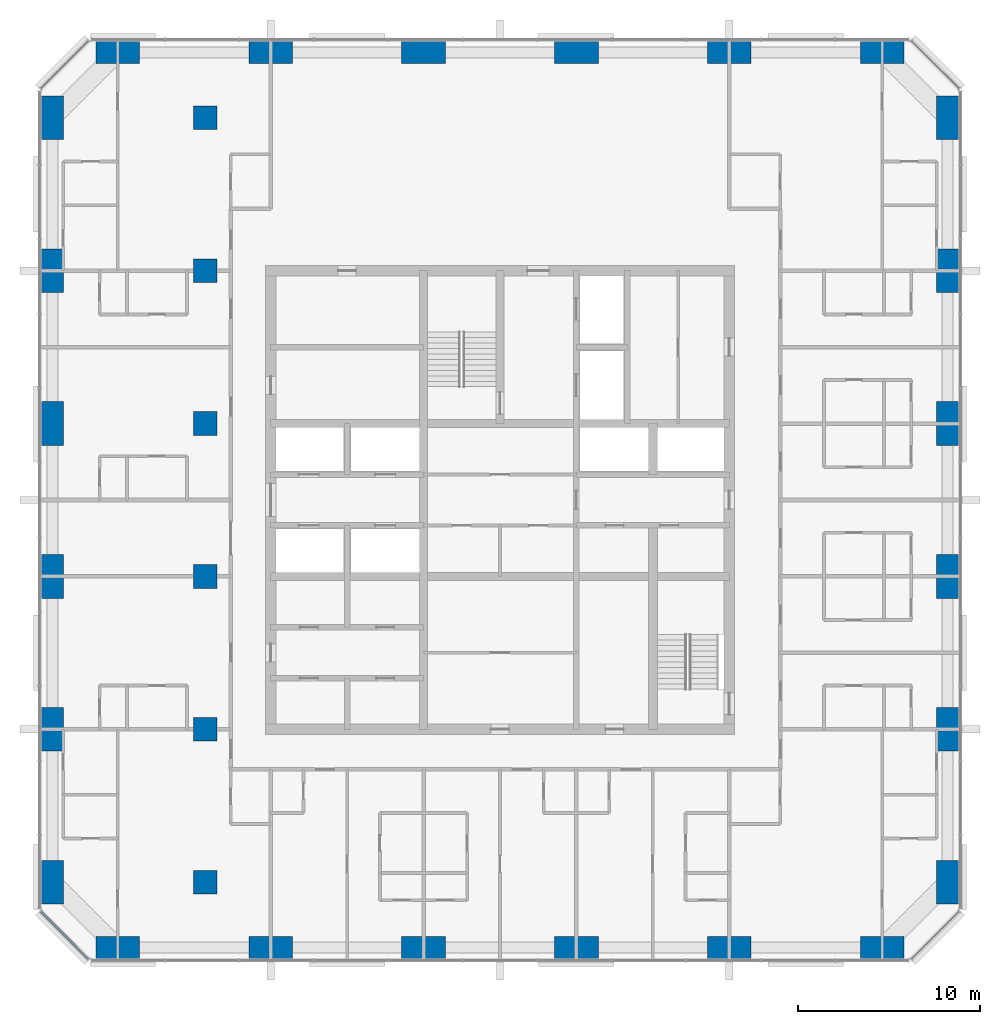
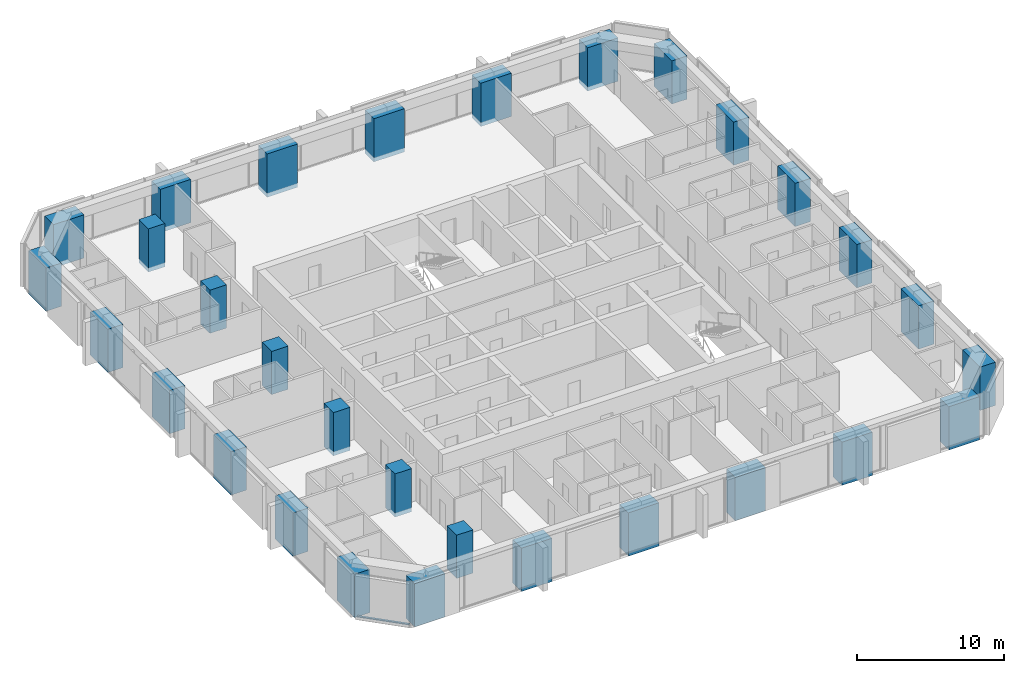
# One storey, part 1 of 14: 30 columns, 1 member, 1 element without a shape of its own.
"""IFC4 building model written with IfcOpenShell, lengths in metres."""

from ifc_helpers import new_model, si_unit, direction, frame, origin, origin_2d, place, context, subcontext, project, spatial, rectangle, extrude, material, material_profile, profile_set, type_object, element, aggregate, save


model = new_model("IFC4")

# Units and contexts
model_context = context("Model", 3, precision=1e-05, world=origin(), true_north=direction((0.0, 1.0)))
body_context = subcontext(model_context, "Body", "Model", "MODEL_VIEW")
ifc_project = project(units=[si_unit("LENGTHUNIT", "METRE"), si_unit("AREAUNIT", "SQUARE_METRE"), si_unit("VOLUMEUNIT", "CUBIC_METRE"), si_unit("PLANEANGLEUNIT", "RADIAN"), si_unit("MASSUNIT", "GRAM", prefix="KILO")], contexts=[model_context])

# Site, building, storey
site_placement = place(None, origin())
site = spatial("IfcSite", under=ifc_project, at=site_placement, CompositionType="ELEMENT")
building_placement = place(site_placement, origin())
building = spatial("IfcBuilding", under=site, at=building_placement, Name="Dunama Terrace Hotel", CompositionType="ELEMENT")
storey_placement = place(building_placement, frame((0.0, 0.0, 180.60009765625)))
storey = spatial("IfcBuildingStorey", under=building, at=storey_placement, Name="L46", CompositionType="ELEMENT", Elevation=180.60009765625)

# Columns
ifc_material_1 = material(Name="Concrete C60/75", Category="concrete")
ifc_material_profile_1 = material_profile(ifc_material_1, rectangle(XDim=1.199951171875, YDim=2.39990234375, at=origin_2d()), Name="RC 1200x2400")
ifc_profile_set_1 = profile_set([ifc_material_profile_1], Name="Concrete C60/75")
column_type_1 = type_object("IfcColumnType", Name="Column RC 1200x2400", PredefinedType="COLUMN", material=ifc_profile_set_1)
for number, where, z_axis, x_axis, name in (
    (1, (4.800048828125, 8.39990234375, -0.35009765625), (0.0, 0.0, 1.0), (1.0, 0.0, 0.0), "Column L46 +4.8/+8.4"),
    (2, (4.800048828125, 16.800048828125, -0.35009765625), (0.0, 0.0, 1.0), (1.0, 0.0, 0.0), "Column L46 +4.8/+16.8"),
    (3, (4.800048828125, 25.199951171875, -0.35009765625), (0.0, 0.0, 1.0), (1.0, 0.0, 0.0), "Column L46 +4.8/+25.2"),
    (4, (4.800048828125, 33.60009765625, -0.35009765625), (0.0, 0.0, 1.0), (1.0, 0.0, 0.0), "Column L46 +4.8/+33.6"),
    (5, (4.800048828125, 42.0, -0.35009765625), (0.0, 0.0, 1.0), (1.0, 0.0, 0.0), "Column L46 +4.8/+42.0"),
    (6, (4.800048828125, 50.39990234375, -0.35009765625), (0.0, 0.0, 1.0), (1.0, 0.0, 0.0), "Column L46 +4.8/+50.4"),
    (7, (54.0, 8.39990234375, -0.35009765625), (0.0, 0.0, 1.0), (1.0, 0.0, 0.0), "Column L46 +54.0/+8.4"),
    (8, (54.0, 16.800048828125, -0.35009765625), (0.0, 0.0, 1.0), (1.0, 0.0, 0.0), "Column L46 +54.0/+16.8"),
    (9, (54.0, 25.199951171875, -0.35009765625), (0.0, 0.0, 1.0), (1.0, 0.0, 0.0), "Column L46 +54.0/+25.2"),
    (10, (54.0, 33.60009765625, -0.35009765625), (0.0, 0.0, 1.0), (1.0, 0.0, 0.0), "Column L46 +54.0/+33.6"),
    (11, (54.0, 42.0, -0.35009765625), (0.0, 0.0, 1.0), (1.0, 0.0, 0.0), "Column L46 +54.0/+42.0"),
    (12, (54.0, 50.39990234375, -0.35009765625), (0.0, 0.0, 1.0), (1.0, 0.0, 0.0), "Column L46 +54.0/+50.4"),
):
    element("IfcColumn", number, at=place(storey_placement, frame(where, z_axis=z_axis, x_axis=x_axis)), inside=storey, type_object=column_type_1, Name=name, PredefinedType="COLUMN", context=body_context, shape_type="SweptSolid", body=[
        extrude(rectangle(XDim=1.199951171875, YDim=2.39990234375, at=origin_2d()), origin(), (0.0, 0.0, 1.0), 3.60009765625),
    ])
ifc_material_2 = material(Name="Concrete C60/75", Category="concrete")
ifc_material_profile_2 = material_profile(ifc_material_2, rectangle(XDim=1.300048828125, YDim=1.300048828125, at=origin_2d()), Name="RC 1300x1300")
ifc_profile_set_2 = profile_set([ifc_material_profile_2], Name="Concrete C60/75")
column_type_2 = type_object("IfcColumnType", Name="Column RC 1300x1300", PredefinedType="COLUMN", material=ifc_profile_set_2)
for number, where, z_axis, x_axis, name in (
    (13, (13.199951171875, 8.39990234375, -0.35009765625), (0.0, 0.0, 1.0), (1.0, 0.0, 0.0), "Column L46 +13.2/+8.4"),
    (14, (13.199951171875, 16.800048828125, -0.35009765625), (0.0, 0.0, 1.0), (1.0, 0.0, 0.0), "Column L46 +13.2/+16.8"),
    (15, (13.199951171875, 25.199951171875, -0.35009765625), (0.0, 0.0, 1.0), (1.0, 0.0, 0.0), "Column L46 +13.2/+25.2"),
    (16, (13.199951171875, 33.60009765625, -0.35009765625), (0.0, 0.0, 1.0), (1.0, 0.0, 0.0), "Column L46 +13.2/+33.6"),
    (17, (13.199951171875, 42.0, -0.35009765625), (0.0, 0.0, 1.0), (1.0, 0.0, 0.0), "Column L46 +13.2/+42.0"),
    (18, (13.199951171875, 50.39990234375, -0.35009765625), (0.0, 0.0, 1.0), (1.0, 0.0, 0.0), "Column L46 +13.2/+50.4"),
):
    element("IfcColumn", number, at=place(storey_placement, frame(where, z_axis=z_axis, x_axis=x_axis)), inside=storey, type_object=column_type_2, Name=name, PredefinedType="COLUMN", context=body_context, shape_type="SweptSolid", body=[
        extrude(rectangle(XDim=1.300048828125, YDim=1.300048828125, at=origin_2d()), origin(), (0.0, 0.0, 1.0), 3.60009765625),
    ])
ifc_material_3 = material(Name="Concrete C60/75", Category="concrete")
ifc_material_profile_3 = material_profile(ifc_material_3, rectangle(XDim=2.39990234375, YDim=1.199951171875, at=origin_2d()), Name="RC 2400x1200")
ifc_profile_set_3 = profile_set([ifc_material_profile_3], Name="Concrete C60/75")
column_type_3 = type_object("IfcColumnType", Name="Column RC 2400x1200", PredefinedType="COLUMN", material=ifc_profile_set_3)
for number, where, z_axis, x_axis, name in (
    (19, (8.39990234375, 4.800048828125, -0.35009765625), (0.0, 0.0, 1.0), (1.0, 0.0, 0.0), "Column L46 +8.4/+4.8"),
    (20, (8.39990234375, 54.0, -0.35009765625), (0.0, 0.0, 1.0), (1.0, 0.0, 0.0), "Column L46 +8.4/+54.0"),
    (21, (16.800048828125, 4.800048828125, -0.35009765625), (0.0, 0.0, 1.0), (1.0, 0.0, 0.0), "Column L46 +16.8/+4.8"),
    (22, (16.800048828125, 54.0, -0.35009765625), (0.0, 0.0, 1.0), (1.0, 0.0, 0.0), "Column L46 +16.8/+54.0"),
    (23, (25.199951171875, 4.800048828125, -0.35009765625), (0.0, 0.0, 1.0), (1.0, 0.0, 0.0), "Column L46 +25.2/+4.8"),
    (24, (25.199951171875, 54.0, -0.35009765625), (0.0, 0.0, 1.0), (1.0, 0.0, 0.0), "Column L46 +25.2/+54.0"),
    (25, (33.60009765625, 4.800048828125, -0.35009765625), (0.0, 0.0, 1.0), (1.0, 0.0, 0.0), "Column L46 +33.6/+4.8"),
    (26, (33.60009765625, 54.0, -0.35009765625), (0.0, 0.0, 1.0), (1.0, 0.0, 0.0), "Column L46 +33.6/+54.0"),
    (27, (42.0, 4.800048828125, -0.35009765625), (0.0, 0.0, 1.0), (1.0, 0.0, 0.0), "Column L46 +42.0/+4.8"),
    (28, (42.0, 54.0, -0.35009765625), (0.0, 0.0, 1.0), (1.0, 0.0, 0.0), "Column L46 +42.0/+54.0"),
    (29, (50.39990234375, 4.800048828125, -0.35009765625), (0.0, 0.0, 1.0), (1.0, 0.0, 0.0), "Column L46 +50.4/+4.8"),
    (30, (50.39990234375, 54.0, -0.35009765625), (0.0, 0.0, 1.0), (1.0, 0.0, 0.0), "Column L46 +50.4/+54.0"),
):
    element("IfcColumn", number, at=place(storey_placement, frame(where, z_axis=z_axis, x_axis=x_axis)), inside=storey, type_object=column_type_3, Name=name, PredefinedType="COLUMN", context=body_context, shape_type="SweptSolid", body=[
        extrude(rectangle(XDim=2.39990234375, YDim=1.199951171875, at=origin_2d()), origin(), (0.0, 0.0, 1.0), 3.60009765625),
    ])

# Curtain wall, member
ifc_material_4 = material(Name="Aluminium curtain wall system", Category="aluminium")
curtain_wall_type = type_object("IfcCurtainWallType", Name="Unitised fritted glass wall CW-C", PredefinedType="NOTDEFINED", material=ifc_material_4)
curtain_wall_placement = place(storey_placement, origin())
curtain_wall = element("IfcCurtainWall", 31, at=curtain_wall_placement, inside=storey, type_object=curtain_wall_type, Name="Unitised fritted glass wall CW-C L46", PredefinedType="NOTDEFINED")
ifc_material_5 = material(Name="Aluminium transom", Category="aluminium")
ifc_material_profile_4 = material_profile(ifc_material_5, rectangle(XDim=0.159912109375, YDim=0.080078125, at=origin_2d()), Name="CWC TRANSOM 160X80")
ifc_profile_set_4 = profile_set([ifc_material_profile_4], Name="Aluminium transom")
member_type = type_object("IfcMemberType", Name="CWC transom 160x80", PredefinedType="USERDEFINED", material=ifc_profile_set_4)
member_placement = place(storey_placement, frame((4.178955078125, 6.780029296875, 0.039794921875), z_axis=(0.707106781187, -0.707106781187, 0.0), x_axis=(0.707106781187, 0.707106781187, 0.0)))
member = element("IfcMember", 32, at=member_placement, type_object=member_type, Name="CWC transom", ObjectType="TRANSOM", PredefinedType="USERDEFINED", context=body_context, shape_type="SweptSolid", body=[
    extrude(rectangle(XDim=0.159912109375, YDim=0.080078125, at=origin_2d()), origin(), (0.0, 0.0, 1.0), 3.678466796875),
])
aggregate(curtain_wall, [member])

save(model, "model.ifc")
